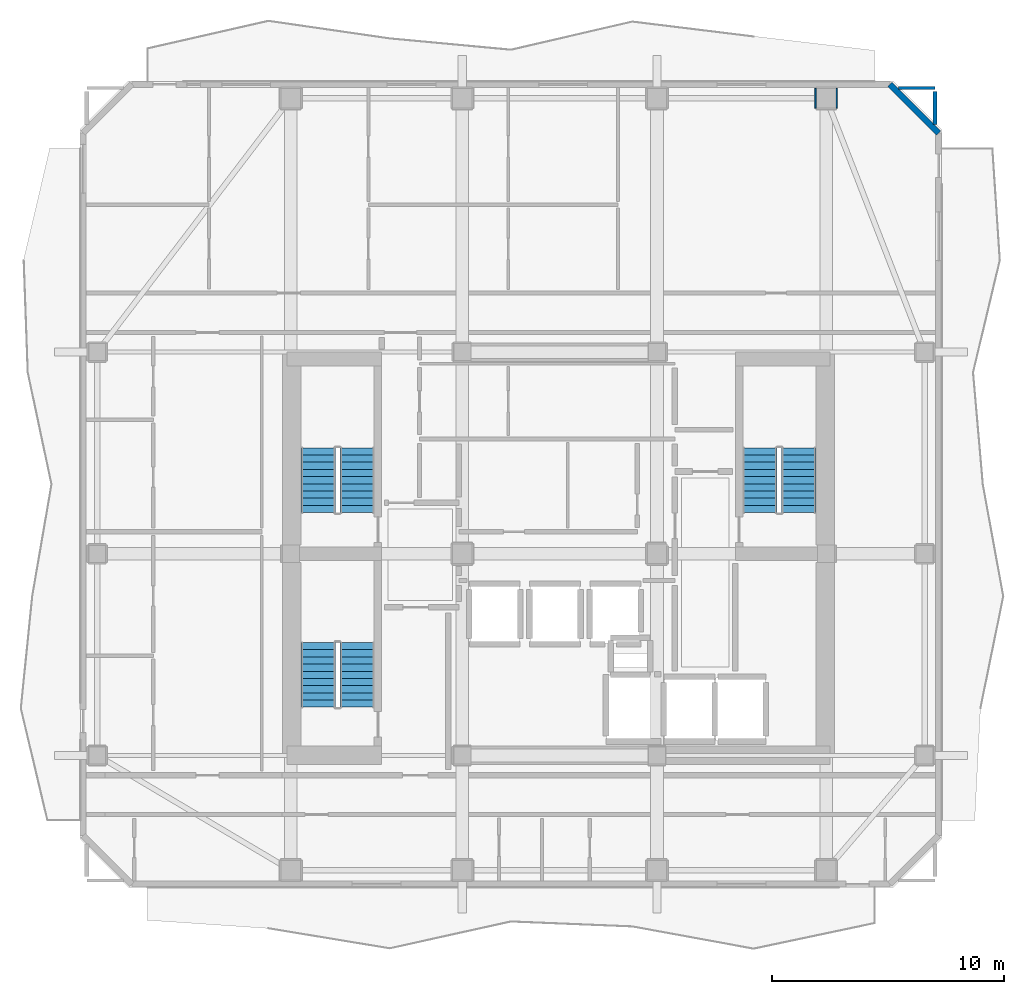
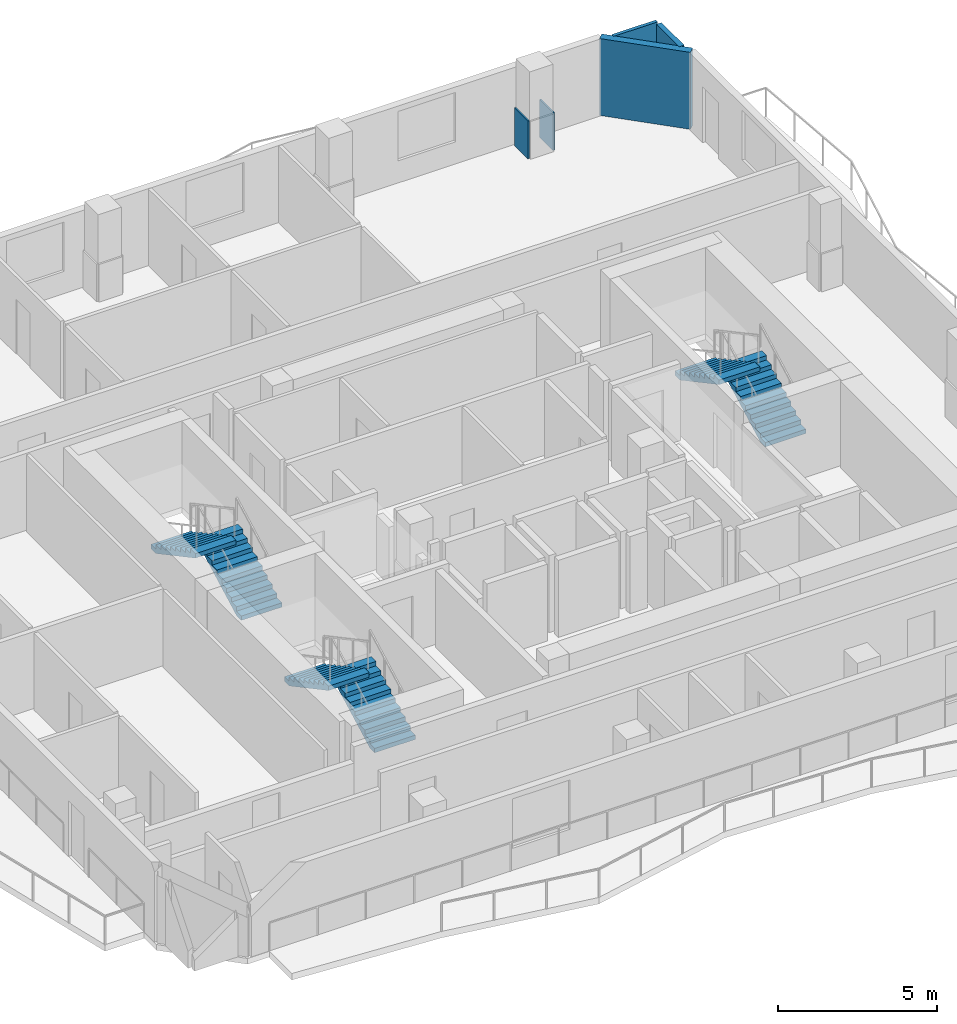
# One storey, part 6 of 10: 6 stair flights, 5 walls, 3 elements without a shape of their own.
"""IFC4 building model written with IfcOpenShell, lengths in metres."""

from ifc_helpers import new_model, si_unit, direction, frame, frame_2d, origin, place, context, subcontext, project, spatial, polyline, rectangle, outline, extrude, material, layer, layer_set, type_object, element, aggregate, save


model = new_model("IFC4")

# Units and contexts
model_context = context("Model", 3, precision=1e-05, world=origin(), true_north=direction((0.0, 1.0)))
body_context = subcontext(model_context, "Body", "Model", "MODEL_VIEW")
ifc_project = project(units=[si_unit("LENGTHUNIT", "METRE"), si_unit("AREAUNIT", "SQUARE_METRE"), si_unit("VOLUMEUNIT", "CUBIC_METRE"), si_unit("PLANEANGLEUNIT", "RADIAN"), si_unit("MASSUNIT", "GRAM", prefix="KILO")], contexts=[model_context])

# Site, building, storey
site_placement = place(None, origin())
site = spatial("IfcSite", under=ifc_project, at=site_placement, CompositionType="ELEMENT")
building_placement = place(site_placement, origin())
building = spatial("IfcBuilding", under=site, at=building_placement, Name="Solanera Arch Residences", CompositionType="ELEMENT")
storey_placement = place(building_placement, frame((0.0, 0.0, 254.52001953125)))
storey = spatial("IfcBuildingStorey", under=building, at=storey_placement, Name="L74", CompositionType="ELEMENT", Elevation=254.52001953125)

# Walls
ifc_material_1 = material(Name="Fire-Rated Gypsum Stud Partition", Category="gypsum")
ifc_layer_1 = layer(ifc_material_1, 0.06005859375)
ifc_layer_set_1 = layer_set([ifc_layer_1], Name="Fire-Rated Gypsum Stud Partition")
wall_type_1 = type_object("IfcWallType", Name="Column Acoustic Furring Wall 60", PredefinedType="PARTITIONING", material=ifc_layer_set_1)
for number, where, z_axis, x_axis, name in (
    (1, (36.04296875, 49.925048828125, 0.0), (0.0, 0.0, 1.0), (0.0, 1.0, 0.0), "L74 Column Furring 16W"),
    (2, (36.95703125, 49.925048828125, 0.0), (0.0, 0.0, 1.0), (0.0, 1.0, 0.0), "L74 Column Furring 16E"),
):
    element("IfcWall", number, at=place(storey_placement, frame(where, z_axis=z_axis, x_axis=x_axis)), inside=storey, type_object=wall_type_1, Name=name, PredefinedType="PARTITIONING", context=body_context, shape_type="SweptSolid", body=[
        extrude(rectangle(XDim=0.849853515625, YDim=0.06005859375, at=frame_2d((0.4248046875, 0.0))), origin(), (0.0, 0.0, 1.0), 1.449951171875),
    ])
ifc_material_2 = material(Name="Autoclaved Aerated Concrete Blockwork", Category="masonry")
ifc_layer_2 = layer(ifc_material_2, 0.179931640625)
ifc_layer_set_2 = layer_set([ifc_layer_2], Name="Autoclaved Aerated Concrete Blockwork")
wall_type_2 = type_object("IfcWallType", Name="Corridor Fire Partition 180", PredefinedType="PARTITIONING", material=ifc_layer_set_2)
wall_1_placement = place(storey_placement, frame((41.199951171875, 49.2109375, 0.0), z_axis=(0.0, 0.0, 1.0), x_axis=(0.0, 1.0, 0.0)))
element("IfcWall", 3, at=wall_1_placement, inside=storey, type_object=wall_type_2, Name="L74 Interior Partition V10", PredefinedType="PARTITIONING", context=body_context, shape_type="SweptSolid", body=[
    extrude(rectangle(XDim=1.43115234375, YDim=0.179931640625, at=frame_2d((0.715576171875, 0.0))), origin(), (0.0, 0.0, 1.0), 2.9599609375),
])
ifc_material_3 = material(Name="Precast Concrete C35/45", Category="concrete")
ifc_layer_3 = layer(ifc_material_3, 0.260009765625)
ifc_layer_set_3 = layer_set([ifc_layer_3], Name="Precast Concrete C35/45")
wall_type_3 = type_object("IfcWallType", Name="Exterior Wall Precast Masonry-Frame 260", PredefinedType="STANDARD", material=ifc_layer_set_3)
wall_2_placement = place(storey_placement, frame((39.2548828125, 50.955078125, 0.0), z_axis=(0.0, 0.0, 1.0), x_axis=(0.707106781187, -0.707106781187, 0.0)))
element("IfcWall", 4, at=wall_2_placement, inside=storey, type_object=wall_type_3, Name="L74 Tower Exterior Precast Masonry-Frame Wall CH3", PredefinedType="STANDARD", context=body_context, shape_type="SweptSolid", body=[
    extrude(rectangle(XDim=2.969970703125, YDim=0.260009765625, at=frame_2d((1.48486328125, 0.0))), origin(), (0.0, 0.0, 1.0), 2.9599609375),
])
ifc_material_4 = material(Name="Fire-Rated Gypsum Stud Partition", Category="gypsum")
ifc_layer_4 = layer(ifc_material_4, 0.1201171875)
ifc_layer_set_4 = layer_set([ifc_layer_4], Name="Fire-Rated Gypsum Stud Partition")
wall_type_4 = type_object("IfcWallType", Name="Unit Drywall Partition 120", PredefinedType="PARTITIONING", material=ifc_layer_set_4)
wall_3_placement = place(storey_placement, frame((39.611083984375, 50.800048828125, 0.0), z_axis=(0.0, 0.0, 1.0), x_axis=(1.0, 0.0, 0.0)))
element("IfcWall", 5, at=wall_3_placement, inside=storey, type_object=wall_type_4, Name="L74 Interior Partition H20 2", PredefinedType="PARTITIONING", context=body_context, shape_type="SweptSolid", body=[
    extrude(rectangle(XDim=1.5888671875, YDim=0.1201171875, at=frame_2d((0.79443359375, 0.0))), origin(), (0.0, 0.0, 1.0), 2.9599609375),
])

# Stair, stair flights
ifc_material_5 = material(Name="Concrete C40/50 (f'c = 45 MPa)", Category="concrete")
stair_type = type_object("IfcStairType", Name="Tower Dogleg Exit Stair 1480", PredefinedType="HALF_TURN_STAIR", material=ifc_material_5)
stair_1_placement = place(storey_placement, origin())
stair_1 = element("IfcStair", 6, at=stair_1_placement, inside=storey, type_object=stair_type, Name="L74 Tower Core Exit Stair 1", PredefinedType="HALF_TURN_STAIR")
ifc_material_6 = material(Name="Concrete C40/50 (f'c = 45 MPa)", Category="concrete")
stair_flight_type = type_object("IfcStairFlightType", Name="Tower Precast Stair Flight 1480", PredefinedType="STRAIGHT", material=ifc_material_6)
stair_flight_1_placement = place(storey_placement, frame((16.260009765625, 32.47998046875, 0.0), z_axis=(0.0, 0.0, 1.0), x_axis=(0.0, 1.0, 0.0)))
stair_flight_1 = element("IfcStairFlight", 7, at=stair_flight_1_placement, type_object=stair_flight_type, Name="ST-T1 flight 1", NumberOfRisers=10, NumberOfTreads=9, PredefinedType="STRAIGHT", RiserHeight=0.166, TreadLength=0.31, context=body_context, shape_type="SweptSolid", body=[
    extrude(outline(polyline([(0.0, 0.0), (0.0, 0.166015625), (0.31005859375, 0.166015625), (0.31005859375, 0.33203125), (0.6201171875, 0.33203125), (0.6201171875, 0.498046875), (0.929931640625, 0.498046875), (0.929931640625, 0.6640625), (1.239990234375, 0.6640625), (1.239990234375, 0.830078125), (1.550048828125, 0.830078125), (1.550048828125, 0.99609375), (1.860107421875, 0.99609375), (1.860107421875, 1.162109375), (2.169921875, 1.162109375), (2.169921875, 1.327880859375), (2.47998046875, 1.327880859375), (2.47998046875, 1.493896484375), (2.7900390625, 1.493896484375), (2.7900390625, 1.659912109375), (2.7900390625, 1.323974609375), (0.317626953125, 0.0), (0.0, 0.0)])), frame((0.0, 0.739990234375, 0.0), z_axis=(0.0, -1.0, 0.0), x_axis=(1.0, 0.0, 0.0)), (0.0, 0.0, 1.0), 1.47998046875),
])
stair_flight_2_placement = place(storey_placement, frame((14.580078125, 35.27001953125, 1.659912109375), z_axis=(0.0, 0.0, 1.0), x_axis=(0.0, -1.0, 0.0)))
stair_flight_2 = element("IfcStairFlight", 8, at=stair_flight_2_placement, type_object=stair_flight_type, Name="ST-T1 flight 2", NumberOfRisers=10, NumberOfTreads=9, PredefinedType="STRAIGHT", RiserHeight=0.166, TreadLength=0.31, context=body_context, shape_type="SweptSolid", body=[
    extrude(outline(polyline([(0.0, 0.0), (0.0, 0.166015625), (0.31005859375, 0.166015625), (0.31005859375, 0.33203125), (0.6201171875, 0.33203125), (0.6201171875, 0.498046875), (0.929931640625, 0.498046875), (0.929931640625, 0.6640625), (1.239990234375, 0.6640625), (1.239990234375, 0.830078125), (1.550048828125, 0.830078125), (1.550048828125, 0.99609375), (1.860107421875, 0.99609375), (1.860107421875, 1.162109375), (2.169921875, 1.162109375), (2.169921875, 1.327880859375), (2.47998046875, 1.327880859375), (2.47998046875, 1.493896484375), (2.7900390625, 1.493896484375), (2.7900390625, 1.659912109375), (2.7900390625, 1.323974609375), (0.317626953125, 0.0), (0.0, 0.0)])), frame((0.0, 0.739990234375, 0.0), z_axis=(0.0, -1.0, 0.0), x_axis=(1.0, 0.0, 0.0)), (0.0, 0.0, 1.0), 1.47998046875),
])
aggregate(stair_1, [stair_flight_1, stair_flight_2])

stair_2_placement = place(storey_placement, origin())
stair_2 = element("IfcStair", 9, at=stair_2_placement, inside=storey, type_object=stair_type, Name="L74 Tower Core Exit Stair 2", PredefinedType="HALF_TURN_STAIR")
stair_flight_3_placement = place(storey_placement, frame((35.320068359375, 32.47998046875, 0.0), z_axis=(0.0, 0.0, 1.0), x_axis=(0.0, 1.0, 0.0)))
stair_flight_3 = element("IfcStairFlight", 10, at=stair_flight_3_placement, type_object=stair_flight_type, Name="ST-T2 flight 1", NumberOfRisers=10, NumberOfTreads=9, PredefinedType="STRAIGHT", RiserHeight=0.166, TreadLength=0.31, context=body_context, shape_type="SweptSolid", body=[
    extrude(outline(polyline([(0.0, 0.0), (0.0, 0.166015625), (0.31005859375, 0.166015625), (0.31005859375, 0.33203125), (0.6201171875, 0.33203125), (0.6201171875, 0.498046875), (0.929931640625, 0.498046875), (0.929931640625, 0.6640625), (1.239990234375, 0.6640625), (1.239990234375, 0.830078125), (1.550048828125, 0.830078125), (1.550048828125, 0.99609375), (1.860107421875, 0.99609375), (1.860107421875, 1.162109375), (2.169921875, 1.162109375), (2.169921875, 1.327880859375), (2.47998046875, 1.327880859375), (2.47998046875, 1.493896484375), (2.7900390625, 1.493896484375), (2.7900390625, 1.659912109375), (2.7900390625, 1.323974609375), (0.317626953125, 0.0), (0.0, 0.0)])), frame((0.0, 0.739990234375, 0.0), z_axis=(0.0, -1.0, 0.0), x_axis=(1.0, 0.0, 0.0)), (0.0, 0.0, 1.0), 1.47998046875),
])
stair_flight_4_placement = place(storey_placement, frame((33.639892578125, 35.27001953125, 1.659912109375), z_axis=(0.0, 0.0, 1.0), x_axis=(0.0, -1.0, 0.0)))
stair_flight_4 = element("IfcStairFlight", 11, at=stair_flight_4_placement, type_object=stair_flight_type, Name="ST-T2 flight 2", NumberOfRisers=10, NumberOfTreads=9, PredefinedType="STRAIGHT", RiserHeight=0.166, TreadLength=0.31, context=body_context, shape_type="SweptSolid", body=[
    extrude(outline(polyline([(0.0, 0.0), (0.0, 0.166015625), (0.31005859375, 0.166015625), (0.31005859375, 0.33203125), (0.6201171875, 0.33203125), (0.6201171875, 0.498046875), (0.929931640625, 0.498046875), (0.929931640625, 0.6640625), (1.239990234375, 0.6640625), (1.239990234375, 0.830078125), (1.550048828125, 0.830078125), (1.550048828125, 0.99609375), (1.860107421875, 0.99609375), (1.860107421875, 1.162109375), (2.169921875, 1.162109375), (2.169921875, 1.327880859375), (2.47998046875, 1.327880859375), (2.47998046875, 1.493896484375), (2.7900390625, 1.493896484375), (2.7900390625, 1.659912109375), (2.7900390625, 1.323974609375), (0.317626953125, 0.0), (0.0, 0.0)])), frame((0.0, 0.739990234375, 0.0), z_axis=(0.0, -1.0, 0.0), x_axis=(1.0, 0.0, 0.0)), (0.0, 0.0, 1.0), 1.47998046875),
])
aggregate(stair_2, [stair_flight_3, stair_flight_4])

stair_3_placement = place(storey_placement, origin())
stair_3 = element("IfcStair", 12, at=stair_3_placement, inside=storey, type_object=stair_type, Name="L74 Tower Core Exit Stair 3", PredefinedType="HALF_TURN_STAIR")
stair_flight_5_placement = place(storey_placement, frame((16.260009765625, 24.080078125, 0.0), z_axis=(0.0, 0.0, 1.0), x_axis=(0.0, 1.0, 0.0)))
stair_flight_5 = element("IfcStairFlight", 13, at=stair_flight_5_placement, type_object=stair_flight_type, Name="ST-T3 flight 1", NumberOfRisers=10, NumberOfTreads=9, PredefinedType="STRAIGHT", RiserHeight=0.166, TreadLength=0.31, context=body_context, shape_type="SweptSolid", body=[
    extrude(outline(polyline([(0.0, 0.0), (0.0, 0.166015625), (0.31005859375, 0.166015625), (0.31005859375, 0.33203125), (0.6201171875, 0.33203125), (0.6201171875, 0.498046875), (0.929931640625, 0.498046875), (0.929931640625, 0.6640625), (1.239990234375, 0.6640625), (1.239990234375, 0.830078125), (1.550048828125, 0.830078125), (1.550048828125, 0.99609375), (1.860107421875, 0.99609375), (1.860107421875, 1.162109375), (2.169921875, 1.162109375), (2.169921875, 1.327880859375), (2.47998046875, 1.327880859375), (2.47998046875, 1.493896484375), (2.7900390625, 1.493896484375), (2.7900390625, 1.659912109375), (2.7900390625, 1.323974609375), (0.317626953125, 0.0), (0.0, 0.0)])), frame((0.0, 0.739990234375, 0.0), z_axis=(0.0, -1.0, 0.0), x_axis=(1.0, 0.0, 0.0)), (0.0, 0.0, 1.0), 1.47998046875),
])
stair_flight_6_placement = place(storey_placement, frame((14.580078125, 26.8701171875, 1.659912109375), z_axis=(0.0, 0.0, 1.0), x_axis=(0.0, -1.0, 0.0)))
stair_flight_6 = element("IfcStairFlight", 14, at=stair_flight_6_placement, type_object=stair_flight_type, Name="ST-T3 flight 2", NumberOfRisers=10, NumberOfTreads=9, PredefinedType="STRAIGHT", RiserHeight=0.166, TreadLength=0.31, context=body_context, shape_type="SweptSolid", body=[
    extrude(outline(polyline([(0.0, 0.0), (0.0, 0.166015625), (0.31005859375, 0.166015625), (0.31005859375, 0.33203125), (0.6201171875, 0.33203125), (0.6201171875, 0.498046875), (0.929931640625, 0.498046875), (0.929931640625, 0.6640625), (1.239990234375, 0.6640625), (1.239990234375, 0.830078125), (1.550048828125, 0.830078125), (1.550048828125, 0.99609375), (1.860107421875, 0.99609375), (1.860107421875, 1.162109375), (2.169921875, 1.162109375), (2.169921875, 1.327880859375), (2.47998046875, 1.327880859375), (2.47998046875, 1.493896484375), (2.7900390625, 1.493896484375), (2.7900390625, 1.659912109375), (2.7900390625, 1.323974609375), (0.317626953125, 0.0), (0.0, 0.0)])), frame((0.0, 0.739990234375, 0.0), z_axis=(0.0, -1.0, 0.0), x_axis=(1.0, 0.0, 0.0)), (0.0, 0.0, 1.0), 1.47998046875),
])
aggregate(stair_3, [stair_flight_5, stair_flight_6])

save(model, "model.ifc")
